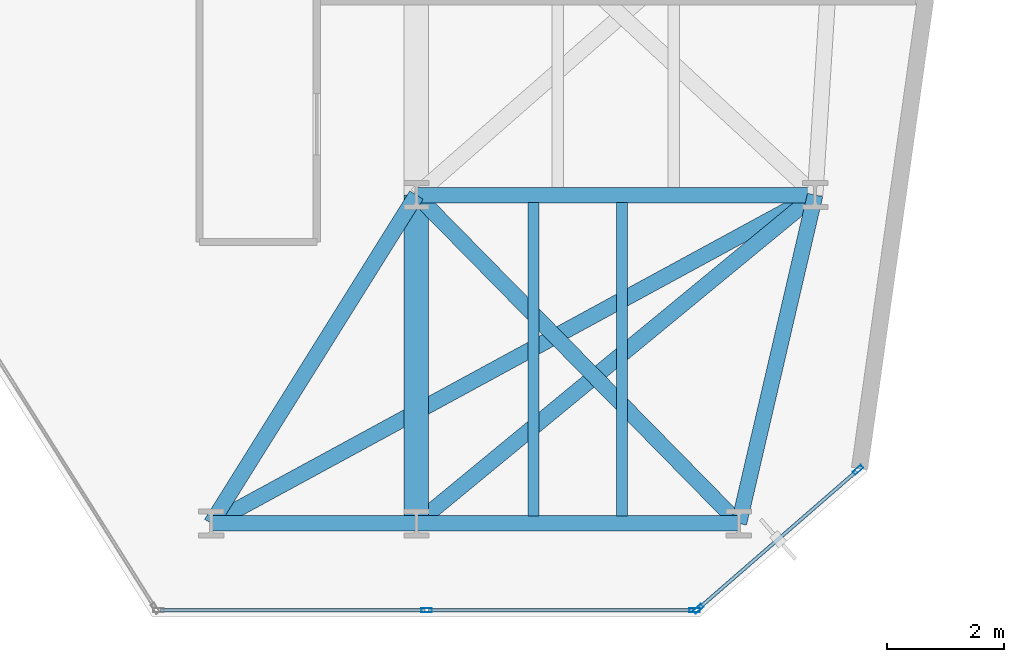
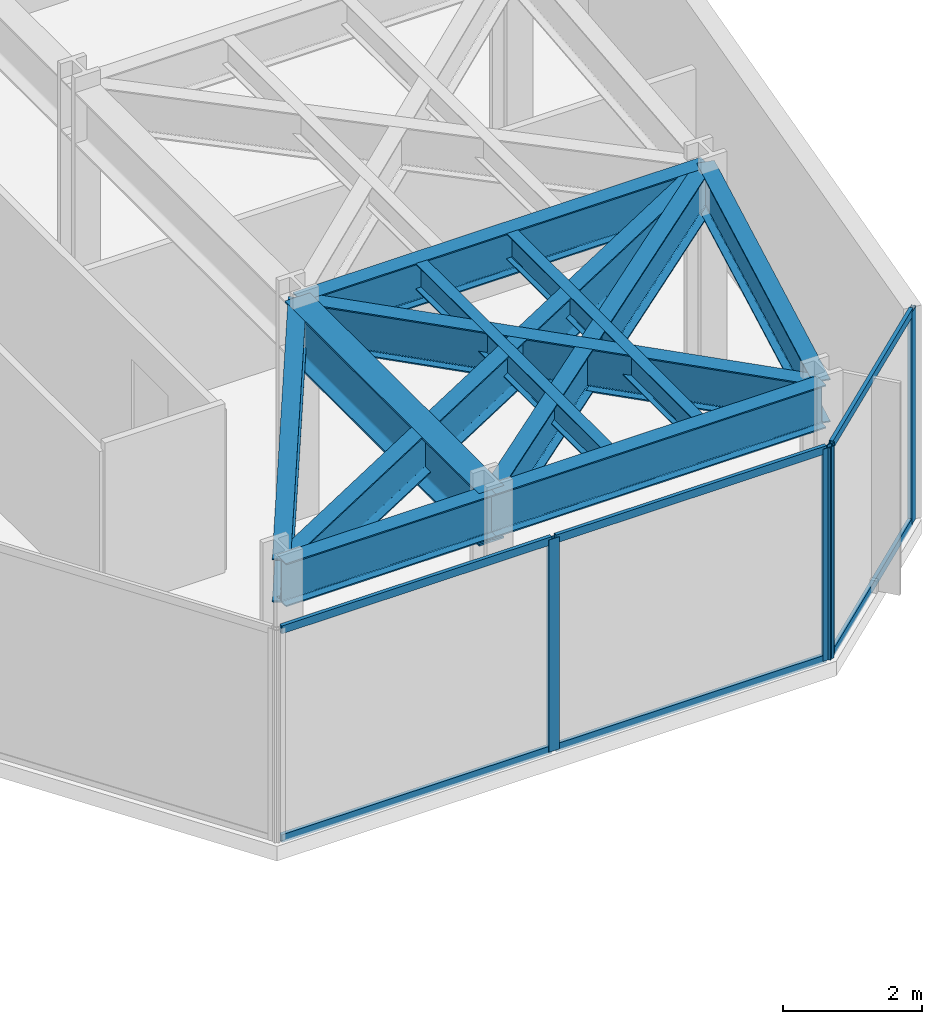
# One storey, part 13 of 25: 11 beams, 10 members, 2 elements without a shape of their own.
"""IFC4 building model written with IfcOpenShell, lengths in metres."""

from ifc_helpers import new_model, si_unit, direction, frame, origin, origin_2d, place, context, subcontext, project, spatial, hollow_rectangle, i_section, extrude, material, layer, layer_set, material_profile, profile_set, type_object, element, aggregate, save


model = new_model("IFC4")

# Units and contexts
model_context = context("Model", 3, precision=1e-05, world=origin(), true_north=direction((0.0, 1.0)))
body_context = subcontext(model_context, "Body", "Model", "MODEL_VIEW")
ifc_project = project(units=[si_unit("LENGTHUNIT", "METRE"), si_unit("AREAUNIT", "SQUARE_METRE"), si_unit("VOLUMEUNIT", "CUBIC_METRE"), si_unit("PLANEANGLEUNIT", "RADIAN"), si_unit("MASSUNIT", "GRAM", prefix="KILO")], contexts=[model_context])

# Site, building, storey
site_placement = place(None, origin())
site = spatial("IfcSite", under=ifc_project, at=site_placement, CompositionType="ELEMENT")
building_placement = place(site_placement, origin())
building = spatial("IfcBuilding", under=site, at=building_placement, Name="Kravanh Interchange Tower", CompositionType="ELEMENT")
storey_placement = place(building_placement, frame((0.0, 0.0, 73.5)))
storey = spatial("IfcBuildingStorey", under=building, at=storey_placement, Name="L17", CompositionType="ELEMENT", Elevation=73.5)

# Curtain wall, members
ifc_material_1 = material(Name="Anodised Bronze Aluminium", Category="aluminium")
ifc_layer = layer(ifc_material_1, 0.179931640625)
ifc_layer_set = layer_set([ifc_layer], Name="Unitised Curtain Wall System CW-Z1 Lower Office")
curtain_wall_type = type_object("IfcCurtainWallType", Name="Unitised Curtain Wall System CW-Z1 Lower Office", PredefinedType="NOTDEFINED", material=ifc_layer_set)
curtain_wall_1_placement = place(storey_placement, origin())
curtain_wall_1 = element("IfcCurtainWall", 1, at=curtain_wall_1_placement, inside=storey, type_object=curtain_wall_type, Name="L17 Unitised Curtain Wall CW-L17-02", PredefinedType="NOTDEFINED")
ifc_material_2 = material(Name="Anodised Bronze Aluminium", Category="aluminium")
ifc_material_profile_1 = material_profile(ifc_material_2, hollow_rectangle(XDim=0.070068359375, YDim=0.179931640625, WallThickness=0.00390625, at=origin_2d()), Name="ALU70X180X4")
ifc_profile_set_1 = profile_set([ifc_material_profile_1], Name="Anodised Bronze Aluminium")
member_type_1 = type_object("IfcMemberType", Name="Curtain Wall Mullion ALU70X180X4 Bronze", PredefinedType="MULLION", material=ifc_profile_set_1)
member_1_placement = place(storey_placement, frame((63.533203125, 3.513916015625, 0.0), z_axis=(0.0, 0.0, 1.0), x_axis=(0.656060422341, -0.754708368999, 0.0)))
member_1 = element("IfcMember", 2, at=member_1_placement, type_object=member_type_1, Name="CW-Z1 mullion 1", PredefinedType="MULLION", context=body_context, shape_type="SweptSolid", body=[
    extrude(hollow_rectangle(XDim=0.070068359375, YDim=0.179931640625, WallThickness=0.00390625, at=origin_2d()), origin(), (0.0, 0.0, 1.0), 3.739990234375),
])
member_2_placement = place(storey_placement, frame((60.805908203125, 1.14306640625, 0.0), z_axis=(0.0, 0.0, 1.0), x_axis=(0.656060422341, -0.754708368999, 0.0)))
member_2 = element("IfcMember", 3, at=member_2_placement, type_object=member_type_1, Name="CW-Z1 mullion 2", PredefinedType="MULLION", context=body_context, shape_type="SweptSolid", body=[
    extrude(hollow_rectangle(XDim=0.070068359375, YDim=0.179931640625, WallThickness=0.00390625, at=origin_2d()), origin(), (0.0, 0.0, 1.0), 3.739990234375),
])

curtain_wall_2_placement = place(storey_placement, origin())
curtain_wall_2 = element("IfcCurtainWall", 4, at=curtain_wall_2_placement, inside=storey, type_object=curtain_wall_type, Name="L17 Unitised Curtain Wall CW-L17-03", PredefinedType="NOTDEFINED")
member_3_placement = place(storey_placement, frame((60.744384765625, 1.1201171875, 0.0), z_axis=(0.0, 0.0, 1.0), x_axis=(0.0, -1.0, 0.0)))
member_3 = element("IfcMember", 5, at=member_3_placement, type_object=member_type_1, Name="CW-Z1 mullion 1", PredefinedType="MULLION", context=body_context, shape_type="SweptSolid", body=[
    extrude(hollow_rectangle(XDim=0.070068359375, YDim=0.179931640625, WallThickness=0.00390625, at=origin_2d()), origin(), (0.0, 0.0, 1.0), 3.739990234375),
])
member_4_placement = place(storey_placement, frame((56.1728515625, 1.1201171875, 0.0), z_axis=(0.0, 0.0, 1.0), x_axis=(0.0, -1.0, 0.0)))
member_4 = element("IfcMember", 6, at=member_4_placement, type_object=member_type_1, Name="CW-Z1 mullion 2", PredefinedType="MULLION", context=body_context, shape_type="SweptSolid", body=[
    extrude(hollow_rectangle(XDim=0.070068359375, YDim=0.179931640625, WallThickness=0.00390625, at=origin_2d()), origin(), (0.0, 0.0, 1.0), 3.739990234375),
])

# Member
ifc_material_3 = material(Name="Anodised Bronze Aluminium", Category="aluminium")
ifc_material_profile_2 = material_profile(ifc_material_3, hollow_rectangle(XDim=0.06005859375, YDim=0.139892578125, WallThickness=0.00390625, at=origin_2d()), Name="ALU60X140X4")
ifc_profile_set_2 = profile_set([ifc_material_profile_2], Name="Anodised Bronze Aluminium")
member_type_2 = type_object("IfcMemberType", Name="Curtain Wall Transom ALU60X140X4 Bronze", PredefinedType="USERDEFINED", material=ifc_profile_set_2)
member_5_placement = place(storey_placement, frame((63.5068359375, 3.490966796875, 0.030029296875), z_axis=(-0.754710815466, -0.656057608004, 0.0), x_axis=(0.656057608004, -0.754710815466, 0.0)))
member_5 = element("IfcMember", 7, at=member_5_placement, type_object=member_type_2, Name="CW-Z1 transom 1.1", ObjectType="TRANSOM", PredefinedType="USERDEFINED", context=body_context, shape_type="SweptSolid", body=[
    extrude(hollow_rectangle(XDim=0.06005859375, YDim=0.139892578125, WallThickness=0.00390625, at=origin_2d()), origin(), (0.0, 0.0, 1.0), 3.543701171875),
])

member_6_placement = place(storey_placement, frame((63.5068359375, 3.490966796875, 3.7099609375), z_axis=(-0.754710815466, -0.656057608004, 0.0), x_axis=(0.656057608004, -0.754710815466, 0.0)))
member_6 = element("IfcMember", 8, at=member_6_placement, type_object=member_type_2, Name="CW-Z1 transom 1.2", ObjectType="TRANSOM", PredefinedType="USERDEFINED", context=body_context, shape_type="SweptSolid", body=[
    extrude(hollow_rectangle(XDim=0.06005859375, YDim=0.139892578125, WallThickness=0.00390625, at=origin_2d()), origin(), (0.0, 0.0, 1.0), 3.543701171875),
])

aggregate(curtain_wall_1, [member_1, member_2, member_5, member_6])

member_7_placement = place(storey_placement, frame((60.70947265625, 1.1201171875, 0.030029296875), z_axis=(-1.0, 0.0, 0.0), x_axis=(0.0, -1.0, 0.0)))
member_7 = element("IfcMember", 9, at=member_7_placement, type_object=member_type_2, Name="CW-Z1 transom 1.1", ObjectType="TRANSOM", PredefinedType="USERDEFINED", context=body_context, shape_type="SweptSolid", body=[
    extrude(hollow_rectangle(XDim=0.06005859375, YDim=0.139892578125, WallThickness=0.00390625, at=origin_2d()), origin(), (0.0, 0.0, 1.0), 4.501708984375),
])

member_8_placement = place(storey_placement, frame((60.70947265625, 1.1201171875, 3.7099609375), z_axis=(-1.0, 0.0, 0.0), x_axis=(0.0, -1.0, 0.0)))
member_8 = element("IfcMember", 10, at=member_8_placement, type_object=member_type_2, Name="CW-Z1 transom 1.2", ObjectType="TRANSOM", PredefinedType="USERDEFINED", context=body_context, shape_type="SweptSolid", body=[
    extrude(hollow_rectangle(XDim=0.06005859375, YDim=0.139892578125, WallThickness=0.00390625, at=origin_2d()), origin(), (0.0, 0.0, 1.0), 4.501708984375),
])

member_9_placement = place(storey_placement, frame((56.1376953125, 1.1201171875, 0.030029296875), z_axis=(-1.0, 0.0, 0.0), x_axis=(0.0, -1.0, 0.0)))
member_9 = element("IfcMember", 11, at=member_9_placement, type_object=member_type_2, Name="CW-Z1 transom 2.1", ObjectType="TRANSOM", PredefinedType="USERDEFINED", context=body_context, shape_type="SweptSolid", body=[
    extrude(hollow_rectangle(XDim=0.06005859375, YDim=0.139892578125, WallThickness=0.00390625, at=origin_2d()), origin(), (0.0, 0.0, 1.0), 4.50146484375),
])

member_10_placement = place(storey_placement, frame((56.1376953125, 1.1201171875, 3.7099609375), z_axis=(-1.0, 0.0, 0.0), x_axis=(0.0, -1.0, 0.0)))
member_10 = element("IfcMember", 12, at=member_10_placement, type_object=member_type_2, Name="CW-Z1 transom 2.2", ObjectType="TRANSOM", PredefinedType="USERDEFINED", context=body_context, shape_type="SweptSolid", body=[
    extrude(hollow_rectangle(XDim=0.06005859375, YDim=0.139892578125, WallThickness=0.00390625, at=origin_2d()), origin(), (0.0, 0.0, 1.0), 4.50146484375),
])

aggregate(curtain_wall_2, [member_3, member_4, member_7, member_8, member_9, member_10])

# Beams
ifc_material_4 = material(Name="Structural Steel S355", Category="steel")
ifc_material_profile_3 = material_profile(ifc_material_4, i_section(OverallWidth=0.41796875, OverallDepth=0.927001953125, WebThickness=0.019287109375, FlangeThickness=0.031982421875, FilletRadius=0.028076171875, at=origin_2d()), Name="W36X231")
ifc_profile_set_3 = profile_set([ifc_material_profile_3], Name="Structural Steel S355")
beam_type_1 = type_object("IfcBeamType", Name="Floor Beam W36X231 Structural Steel S355", PredefinedType="BEAM", material=ifc_profile_set_3)
beam_1_placement = place(storey_placement, frame((56.0, 2.60009765625, 3.276611328125), z_axis=(0.0, 1.0, 0.0), x_axis=(-1.0, 0.0, 0.0)))
element("IfcBeam", 13, at=beam_1_placement, inside=storey, type_object=beam_type_1, Name="L17 Primary Floor Girder 129", PredefinedType="BEAM", context=body_context, shape_type="SweptSolid", body=[
    extrude(i_section(OverallWidth=0.41796875, OverallDepth=0.927001953125, WebThickness=0.019287109375, FlangeThickness=0.031982421875, FilletRadius=0.028076171875, at=origin_2d()), origin(), (0.0, 0.0, 1.0), 5.599853515625),
])
ifc_material_5 = material(Name="Structural Steel S355", Category="steel")
ifc_material_profile_4 = material_profile(ifc_material_5, i_section(OverallWidth=0.18994140625, OverallDepth=0.45703125, WebThickness=0.009033203125, FlangeThickness=0.014404296875, FilletRadius=0.01806640625, at=origin_2d()), Name="W18X50")
ifc_profile_set_4 = profile_set([ifc_material_profile_4], Name="Structural Steel S355")
beam_type_2 = type_object("IfcBeamType", Name="Floor Joist W18X50 Structural Steel S355", PredefinedType="JOIST", material=ifc_profile_set_4)
for number, where, z_axis, x_axis, name in (
    (14, (57.993896484375, 2.728515625, 3.511474609375), (0.0, 1.0, 0.0), (-1.0, 0.0, 0.0), "L17 Secondary Floor Joist 5"),
    (15, (59.506103515625, 2.728515625, 3.511474609375), (0.0, 1.0, 0.0), (-1.0, 0.0, 0.0), "L17 Secondary Floor Joist 6"),
):
    element("IfcBeam", number, at=place(storey_placement, frame(where, z_axis=z_axis, x_axis=x_axis)), inside=storey, type_object=beam_type_2, Name=name, PredefinedType="JOIST", context=body_context, shape_type="SweptSolid", body=[
        extrude(i_section(OverallWidth=0.18994140625, OverallDepth=0.45703125, WebThickness=0.009033203125, FlangeThickness=0.014404296875, FilletRadius=0.01806640625, at=origin_2d()), origin(), (0.0, 0.0, 1.0), 5.343017578125),
    ])
ifc_material_6 = material(Name="Structural Steel S355", Category="steel")
ifc_material_profile_5 = material_profile(ifc_material_6, i_section(OverallWidth=0.26708984375, OverallDepth=0.761962890625, WebThickness=0.014404296875, FlangeThickness=0.021484375, FilletRadius=0.02490234375, at=origin_2d()), Name="W30X116")
ifc_profile_set_5 = profile_set([ifc_material_profile_5], Name="Structural Steel S355")
beam_type_3 = type_object("IfcBeamType", Name="Floor Spandrel W30X116 Structural Steel S355", PredefinedType="SPANDREL", material=ifc_profile_set_5)
beam_2_placement = place(storey_placement, frame((52.5, 2.60009765625, 3.35888671875), z_axis=(1.0, 0.0, 0.0), x_axis=(0.0, 1.0, 0.0)))
element("IfcBeam", 16, at=beam_2_placement, inside=storey, type_object=beam_type_3, Name="L17 Perimeter Spandrel 125", PredefinedType="SPANDREL", context=body_context, shape_type="SweptSolid", body=[
    extrude(i_section(OverallWidth=0.26708984375, OverallDepth=0.761962890625, WebThickness=0.014404296875, FlangeThickness=0.021484375, FilletRadius=0.02490234375, at=origin_2d()), origin(), (0.0, 0.0, 1.0), 3.5),
])
beam_3_placement = place(storey_placement, frame((52.5, 2.60009765625, 3.35888671875), z_axis=(0.530008909536, 0.847992072965, 0.0), x_axis=(-0.847992072965, 0.530008909536, 0.0)))
element("IfcBeam", 17, at=beam_3_placement, inside=storey, type_object=beam_type_3, Name="L17 Perimeter Spandrel 126", PredefinedType="SPANDREL", context=body_context, shape_type="SweptSolid", body=[
    extrude(i_section(OverallWidth=0.26708984375, OverallDepth=0.761962890625, WebThickness=0.014404296875, FlangeThickness=0.021484375, FilletRadius=0.02490234375, at=origin_2d()), origin(), (0.0, 0.0, 1.0), 6.603759765625),
])
beam_4_placement = place(storey_placement, frame((52.5, 2.60009765625, 3.35888671875), z_axis=(0.878552895081, 0.47764506754, 0.0), x_axis=(-0.47764506754, 0.878552895081, 0.0)))
element("IfcBeam", 18, at=beam_4_placement, inside=storey, type_object=beam_type_3, Name="L17 Perimeter Spandrel 127", PredefinedType="SPANDREL", context=body_context, shape_type="SweptSolid", body=[
    extrude(i_section(OverallWidth=0.26708984375, OverallDepth=0.761962890625, WebThickness=0.014404296875, FlangeThickness=0.021484375, FilletRadius=0.02490234375, at=origin_2d()), origin(), (0.0, 0.0, 1.0), 11.723876953125),
])
beam_5_placement = place(storey_placement, frame((56.0, 2.60009765625, 3.35888671875), z_axis=(1.0, 0.0, 0.0), x_axis=(0.0, 1.0, 0.0)))
element("IfcBeam", 19, at=beam_5_placement, inside=storey, type_object=beam_type_3, Name="L17 Perimeter Spandrel 128", PredefinedType="SPANDREL", context=body_context, shape_type="SweptSolid", body=[
    extrude(i_section(OverallWidth=0.26708984375, OverallDepth=0.761962890625, WebThickness=0.014404296875, FlangeThickness=0.021484375, FilletRadius=0.02490234375, at=origin_2d()), origin(), (0.0, 0.0, 1.0), 5.5),
])
beam_6_placement = place(storey_placement, frame((56.0, 2.60009765625, 3.35888671875), z_axis=(0.771940635711, 0.635694623965, 0.0), x_axis=(-0.635694623965, 0.771940635711, 0.0)))
element("IfcBeam", 20, at=beam_6_placement, inside=storey, type_object=beam_type_3, Name="L17 Perimeter Spandrel 130", PredefinedType="SPANDREL", context=body_context, shape_type="SweptSolid", body=[
    extrude(i_section(OverallWidth=0.26708984375, OverallDepth=0.761962890625, WebThickness=0.014404296875, FlangeThickness=0.021484375, FilletRadius=0.02490234375, at=origin_2d()), origin(), (0.0, 0.0, 1.0), 8.80908203125),
])
beam_7_placement = place(storey_placement, frame((61.5, 2.60009765625, 3.35888671875), z_axis=(0.226143379252, 0.974094026273, 0.0), x_axis=(-0.974094026273, 0.226143379252, 0.0)))
element("IfcBeam", 21, at=beam_7_placement, inside=storey, type_object=beam_type_3, Name="L17 Perimeter Spandrel 131", PredefinedType="SPANDREL", context=body_context, shape_type="SweptSolid", body=[
    extrude(i_section(OverallWidth=0.26708984375, OverallDepth=0.761962890625, WebThickness=0.014404296875, FlangeThickness=0.021484375, FilletRadius=0.02490234375, at=origin_2d()), origin(), (0.0, 0.0, 1.0), 5.748779296875),
])
beam_8_placement = place(storey_placement, frame((61.5, 2.60009765625, 3.35888671875), z_axis=(-0.700717344595, 0.71343899738, 0.0), x_axis=(-0.71343899738, -0.700717344595, 0.0)))
element("IfcBeam", 22, at=beam_8_placement, inside=storey, type_object=beam_type_3, Name="L17 Perimeter Spandrel 132", PredefinedType="SPANDREL", context=body_context, shape_type="SweptSolid", body=[
    extrude(i_section(OverallWidth=0.26708984375, OverallDepth=0.761962890625, WebThickness=0.014404296875, FlangeThickness=0.021484375, FilletRadius=0.02490234375, at=origin_2d()), origin(), (0.0, 0.0, 1.0), 7.84912109375),
])
beam_9_placement = place(storey_placement, frame((56.0, 8.199951171875, 3.35888671875), z_axis=(1.0, 0.0, 0.0), x_axis=(0.0, 1.0, 0.0)))
element("IfcBeam", 23, at=beam_9_placement, inside=storey, type_object=beam_type_3, Name="L17 Perimeter Spandrel 142", PredefinedType="SPANDREL", context=body_context, shape_type="SweptSolid", body=[
    extrude(i_section(OverallWidth=0.26708984375, OverallDepth=0.761962890625, WebThickness=0.014404296875, FlangeThickness=0.021484375, FilletRadius=0.02490234375, at=origin_2d()), origin(), (0.0, 0.0, 1.0), 6.800048828125),
])

save(model, "model.ifc")
